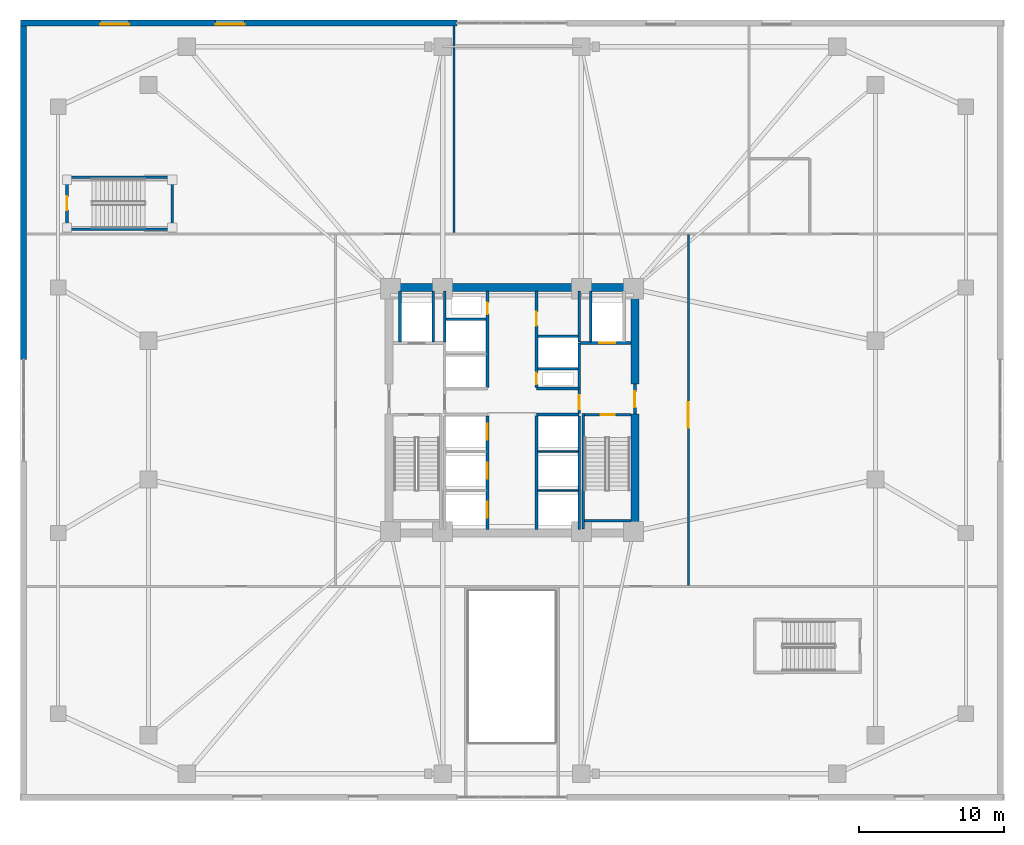
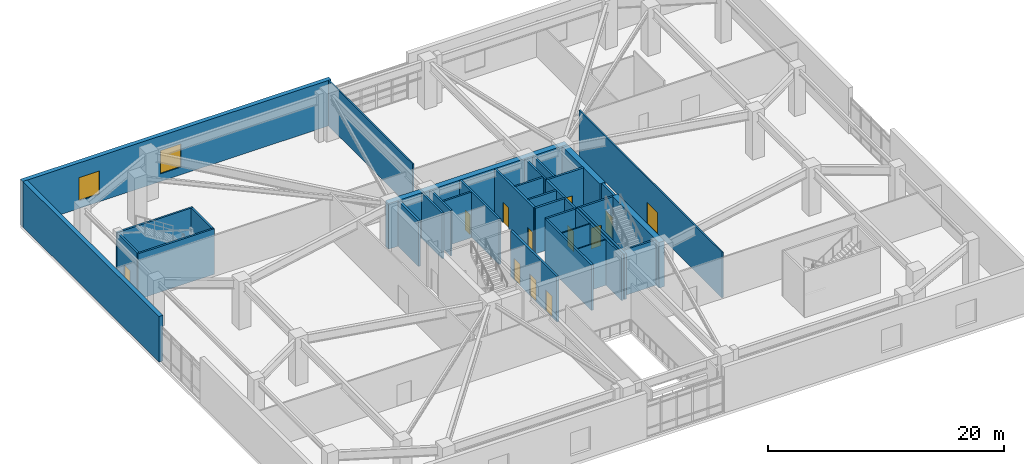
# One storey, part 12 of 20: 34 walls, 12 doors, 2 windows, 14 openings.
"""IFC4 building model written with IfcOpenShell, lengths in metres."""

from ifc_helpers import new_model, si_unit, direction, frame, frame_2d, origin, place, context, subcontext, project, spatial, rectangle, extrude, material, layer, layer_set, type_object, element, fill, save


model = new_model("IFC4")

# Units and contexts
model_context = context("Model", 3, precision=1e-05, world=origin(), true_north=direction((0.0, 1.0)))
body_context = subcontext(model_context, "Body", "Model", "MODEL_VIEW")
ifc_project = project(units=[si_unit("LENGTHUNIT", "METRE"), si_unit("AREAUNIT", "SQUARE_METRE"), si_unit("VOLUMEUNIT", "CUBIC_METRE"), si_unit("PLANEANGLEUNIT", "RADIAN"), si_unit("MASSUNIT", "GRAM", prefix="KILO")], contexts=[model_context])

# Site, building, storey
site_placement = place(None, origin())
site = spatial("IfcSite", under=ifc_project, at=site_placement, CompositionType="ELEMENT")
building_placement = place(site_placement, origin())
building = spatial("IfcBuilding", under=site, at=building_placement, Name="Cairnveth Concourse Tower", CompositionType="ELEMENT")
storey_placement = place(building_placement, frame((0.0, 0.0, 5.0)))
storey = spatial("IfcBuildingStorey", under=building, at=storey_placement, Name="L01", CompositionType="ELEMENT", Elevation=5.0)

# Walls
ifc_material_1 = material(Name="Concrete N80 (80 MPa)", Category="concrete")
ifc_layer_1 = layer(ifc_material_1, 0.550048828125)
ifc_layer_set_1 = layer_set([ifc_layer_1], Name="Concrete N80 (80 MPa)")
wall_type_1 = type_object("IfcWallType", Name="CORE SHEAR WALL 550", PredefinedType="SHEAR", material=ifc_layer_set_1)
wall_1_placement = place(storey_placement, frame((43.22509765625, 47.5, 0.0), z_axis=(0.0, 0.0, 1.0), x_axis=(1.0, 0.0, 0.0)))
element("IfcWall", 1, at=wall_1_placement, inside=storey, type_object=wall_type_1, Name="Core North Shear Wall L01", PredefinedType="SHEAR", context=body_context, shape_type="SweptSolid", body=[
    extrude(rectangle(XDim=17.5498046875, YDim=0.550048828125, at=frame_2d((8.77490234375, 0.0))), origin(), (0.0, 0.0, 1.0), 4.719970703125),
])
wall_2_placement = place(storey_placement, frame((60.5, 30.764892578125, 0.0), z_axis=(0.0, 0.0, 1.0), x_axis=(0.0, 1.0, 0.0)))
element("IfcWall", 2, at=wall_2_placement, inside=storey, type_object=wall_type_1, Name="Core East Shear Wall S L01", PredefinedType="SHEAR", context=body_context, shape_type="SweptSolid", body=[
    extrude(rectangle(XDim=7.985107421875, YDim=0.550048828125, at=frame_2d((3.99267578125, 0.0))), origin(), (0.0, 0.0, 1.0), 4.719970703125),
])
wall_3_placement = place(storey_placement, frame((60.5, 40.800048828125, 0.0), z_axis=(0.0, 0.0, 1.0), x_axis=(0.0, 1.0, 0.0)))
element("IfcWall", 3, at=wall_3_placement, inside=storey, type_object=wall_type_1, Name="Core East Shear Wall N L01", PredefinedType="SHEAR", context=body_context, shape_type="SweptSolid", body=[
    extrude(rectangle(XDim=6.43505859375, YDim=0.550048828125, at=frame_2d((3.217529296875, 0.0))), origin(), (0.0, 0.0, 1.0), 4.719970703125),
])
ifc_material_2 = material(Name="Concrete N50 (50 MPa)", Category="concrete")
ifc_layer_2 = layer(ifc_material_2, 0.179931640625)
ifc_layer_set_2 = layer_set([ifc_layer_2], Name="Concrete N50 (50 MPa)")
wall_type_2 = type_object("IfcWallType", Name="FIRE SHAFT WALL 180", PredefinedType="SOLIDWALL", material=ifc_layer_set_2)
wall_4_placement = place(storey_placement, frame((56.64990234375, 30.760009765625, 0.0), z_axis=(0.0, 0.0, 1.0), x_axis=(0.0, 1.0, 0.0)))
element("IfcWall", 4, at=wall_4_placement, inside=storey, type_object=wall_type_2, Name="Interior Wall IW-L01-028", PredefinedType="SOLIDWALL", context=body_context, shape_type="SweptSolid", body=[
    extrude(rectangle(XDim=7.85498046875, YDim=0.179931640625, at=frame_2d((3.927490234375, 0.0))), origin(), (0.0, 0.0, 1.0), 4.719970703125),
])
wall_5_placement = place(storey_placement, frame((47.35009765625, 43.735107421875, 0.0), z_axis=(0.0, 0.0, 1.0), x_axis=(0.0, 1.0, 0.0)))
element("IfcWall", 5, at=wall_5_placement, inside=storey, type_object=wall_type_2, Name="Interior Wall IW-L01-031", PredefinedType="SOLIDWALL", context=body_context, shape_type="SweptSolid", body=[
    extrude(rectangle(XDim=3.5048828125, YDim=0.179931640625, at=frame_2d((1.75244140625, 0.0))), origin(), (0.0, 0.0, 1.0), 4.719970703125),
])
wall_6_placement = place(storey_placement, frame((47.425048828125, 45.280029296875, 0.0), z_axis=(0.0, 0.0, 1.0), x_axis=(1.0, 0.0, 0.0)))
element("IfcWall", 6, at=wall_6_placement, inside=storey, type_object=wall_type_2, Name="Interior Wall IW-L01-033", PredefinedType="SOLIDWALL", context=body_context, shape_type="SweptSolid", body=[
    extrude(rectangle(XDim=2.7900390625, YDim=0.179931640625, at=frame_2d((1.39501953125, 0.0))), origin(), (0.0, 0.0, 1.0), 4.719970703125),
])
wall_7_placement = place(storey_placement, frame((56.64990234375, 43.735107421875, 0.0), z_axis=(0.0, 0.0, 1.0), x_axis=(0.0, 1.0, 0.0)))
element("IfcWall", 7, at=wall_7_placement, inside=storey, type_object=wall_type_2, Name="Interior Wall IW-L01-034", PredefinedType="SOLIDWALL", context=body_context, shape_type="SweptSolid", body=[
    extrude(rectangle(XDim=3.5048828125, YDim=0.179931640625, at=frame_2d((1.75244140625, 0.0))), origin(), (0.0, 0.0, 1.0), 4.719970703125),
])
wall_8_placement = place(storey_placement, frame((53.784912109375, 41.8798828125, 0.0), z_axis=(0.0, 0.0, 1.0), x_axis=(1.0, 0.0, 0.0)))
element("IfcWall", 8, at=wall_8_placement, inside=storey, type_object=wall_type_2, Name="Interior Wall IW-L01-035", PredefinedType="SOLIDWALL", context=body_context, shape_type="SweptSolid", body=[
    extrude(rectangle(XDim=2.780029296875, YDim=0.179931640625, at=frame_2d((1.39013671875, 0.0))), origin(), (0.0, 0.0, 1.0), 4.719970703125),
])
wall_9_placement = place(storey_placement, frame((53.784912109375, 44.1201171875, 0.0), z_axis=(0.0, 0.0, 1.0), x_axis=(1.0, 0.0, 0.0)))
element("IfcWall", 9, at=wall_9_placement, inside=storey, type_object=wall_type_2, Name="Interior Wall IW-L01-036", PredefinedType="SOLIDWALL", context=body_context, shape_type="SweptSolid", body=[
    extrude(rectangle(XDim=2.7900390625, YDim=0.179931640625, at=frame_2d((1.39501953125, 0.0))), origin(), (0.0, 0.0, 1.0), 4.719970703125),
])

# Wall, opening, door
wall_10_placement = place(storey_placement, frame((57.0048828125, 38.68994140625, 0.0), z_axis=(0.0, 0.0, 1.0), x_axis=(1.0, 0.0, 0.0)))
wall_10 = element("IfcWall", 10, at=wall_10_placement, inside=storey, type_object=wall_type_2, Name="Stair ST-2 Shaft Wall NEAR L01", PredefinedType="SOLIDWALL", context=body_context, shape_type="SweptSolid", body=[
    extrude(rectangle(XDim=3.230224609375, YDim=0.179931640625, at=frame_2d((1.615234375, 0.0))), origin(), (0.0, 0.0, 1.0), 4.719970703125),
])
opening_1_placement = place(wall_10_placement, frame((1.139892578125, 0.0, 0.0)))
opening_1 = element("IfcOpeningElement", 11, at=opening_1_placement, cuts=wall_10, Name="Opening ID12", PredefinedType="OPENING", context=body_context, shape_type="SweptSolid", body=[
    extrude(rectangle(XDim=0.949951171875, YDim=2.14990234375, at=frame_2d((0.47509765625, 1.074951171875))), frame((0.0, 0.099853515625, 0.0), z_axis=(0.0, -1.0, 0.0), x_axis=(1.0, 0.0, 0.0)), (0.0, 0.0, 1.0), 0.199951171875),
])
ifc_material_3 = material(Name="Steel Grade 350", Category="steel")
door_type_1 = type_object("IfcDoorType", Name="FIRE STAIR DOOR 950X2150", OperationType="NOTDEFINED", PredefinedType="DOOR", material=ifc_material_3)
door_1_placement = place(opening_1_placement, origin())
door_1 = element("IfcDoor", 12, at=door_1_placement, inside=storey, type_object=door_type_1, Name="Stair ST-2 Fire Door L01", OperationType="SINGLE_SWING_RIGHT", OverallHeight=2.14990234375, OverallWidth=0.949951171875, PredefinedType="DOOR", context=body_context, shape_type="SweptSolid", body=[
    extrude(rectangle(XDim=0.949951171875, YDim=2.14990234375, at=frame_2d((0.47509765625, 1.074951171875))), frame((0.0, 0.02490234375, 0.0), z_axis=(0.0, -1.0, 0.0), x_axis=(1.0, 0.0, 0.0)), (0.0, 0.0, 1.0), 0.050048828125),
])
fill(opening_1, door_1)

# Walls
wall_11_placement = place(storey_placement, frame((57.0048828125, 31.360107421875, 0.0), z_axis=(0.0, 0.0, 1.0), x_axis=(1.0, 0.0, 0.0)))
element("IfcWall", 13, at=wall_11_placement, inside=storey, type_object=wall_type_2, Name="Stair ST-2 Shaft Wall FAR L01", PredefinedType="SOLIDWALL", context=body_context, shape_type="SweptSolid", body=[
    extrude(rectangle(XDim=3.230224609375, YDim=0.179931640625, at=frame_2d((1.615234375, 0.0))), origin(), (0.0, 0.0, 1.0), 4.719970703125),
])
wall_12_placement = place(storey_placement, frame((56.929931640625, 38.780029296875, 0.0), z_axis=(0.0, 0.0, 1.0), x_axis=(0.0, -1.0, 0.0)))
element("IfcWall", 14, at=wall_12_placement, inside=storey, type_object=wall_type_2, Name="Stair ST-2 Shaft Wall LEFT L01", PredefinedType="SOLIDWALL", context=body_context, shape_type="SweptSolid", body=[
    extrude(rectangle(XDim=8.01708984375, YDim=0.179931640625, at=frame_2d((4.008544921875, 0.0))), origin(), (0.0, 0.0, 1.0), 4.719970703125),
])

# Wall, opening, door
wall_13_placement = place(storey_placement, frame((21.2099609375, 51.5849609375, 0.0), z_axis=(0.0, 0.0, 1.0), x_axis=(0.0, 1.0, 0.0)))
wall_13 = element("IfcWall", 15, at=wall_13_placement, inside=storey, type_object=wall_type_2, Name="Stair ST-P1 Shaft Wall NEAR L01", PredefinedType="SOLIDWALL", context=body_context, shape_type="SweptSolid", body=[
    extrude(rectangle(XDim=3.469970703125, YDim=0.179931640625, at=frame_2d((1.73486328125, 0.0))), origin(), (0.0, 0.0, 1.0), 4.719970703125),
])
opening_2_placement = place(wall_13_placement, frame((1.260009765625, 0.0, 0.0)))
opening_2 = element("IfcOpeningElement", 16, at=opening_2_placement, cuts=wall_13, Name="Opening ID12", PredefinedType="OPENING", context=body_context, shape_type="SweptSolid", body=[
    extrude(rectangle(XDim=0.949951171875, YDim=2.14990234375, at=frame_2d((0.47509765625, 1.074951171875))), frame((0.0, 0.099853515625, 0.0), z_axis=(0.0, -1.0, 0.0), x_axis=(1.0, 0.0, 0.0)), (0.0, 0.0, 1.0), 0.199951171875),
])
door_2_placement = place(opening_2_placement, origin())
door_2 = element("IfcDoor", 17, at=door_2_placement, inside=storey, type_object=door_type_1, Name="Stair ST-P1 Fire Door L01", OperationType="SINGLE_SWING_LEFT", OverallHeight=2.14990234375, OverallWidth=0.949951171875, PredefinedType="DOOR", context=body_context, shape_type="SweptSolid", body=[
    extrude(rectangle(XDim=0.949951171875, YDim=2.14990234375, at=frame_2d((0.47509765625, 1.074951171875))), frame((0.0, 0.02490234375, 0.0), z_axis=(0.0, -1.0, 0.0), x_axis=(1.0, 0.0, 0.0)), (0.0, 0.0, 1.0), 0.050048828125),
])
fill(opening_2, door_2)

# Walls
wall_14_placement = place(storey_placement, frame((28.489990234375, 51.5849609375, 0.0), z_axis=(0.0, 0.0, 1.0), x_axis=(0.0, 1.0, 0.0)))
element("IfcWall", 18, at=wall_14_placement, inside=storey, type_object=wall_type_2, Name="Stair ST-P1 Shaft Wall FAR L01", PredefinedType="SOLIDWALL", context=body_context, shape_type="SweptSolid", body=[
    extrude(rectangle(XDim=3.469970703125, YDim=0.179931640625, at=frame_2d((1.73486328125, 0.0))), origin(), (0.0, 0.0, 1.0), 4.719970703125),
])
for number, where, z_axis, x_axis, name in (
    (19, (21.1201171875, 51.510009765625, 0.0), (0.0, 0.0, 1.0), (1.0, 0.0, 0.0), "Stair ST-P1 Shaft Wall LEFT L01"),
    (20, (21.1201171875, 55.1298828125, 0.0), (0.0, 0.0, 1.0), (1.0, 0.0, 0.0), "Stair ST-P1 Shaft Wall RGHT L01"),
):
    element("IfcWall", number, at=place(storey_placement, frame(where, z_axis=z_axis, x_axis=x_axis)), inside=storey, type_object=wall_type_2, Name=name, PredefinedType="SOLIDWALL", context=body_context, shape_type="SweptSolid", body=[
        extrude(rectangle(XDim=7.4599609375, YDim=0.179931640625, at=frame_2d((3.72998046875, 0.0))), origin(), (0.0, 0.0, 1.0), 4.719970703125),
    ])
ifc_layer_3 = layer(ifc_material_2, 0.199951171875)
ifc_layer_set_3 = layer_set([ifc_layer_3], Name="Concrete N50 (50 MPa)")
wall_type_3 = type_object("IfcWallType", Name="FIRE SHAFT WALL 200", PredefinedType="SOLIDWALL", material=ifc_layer_set_3)
for number, where, z_axis, x_axis, name in (
    (21, (53.699951171875, 38.699951171875, 0.0), (0.0, 0.0, 1.0), (1.0, 0.0, 0.0), "Interior Wall IW-L01-009"),
    (22, (53.699951171875, 40.5, 0.0), (0.0, 0.0, 1.0), (1.0, 0.0, 0.0), "Interior Wall IW-L01-010"),
):
    element("IfcWall", number, at=place(storey_placement, frame(where, z_axis=z_axis, x_axis=x_axis)), inside=storey, type_object=wall_type_3, Name=name, PredefinedType="SOLIDWALL", context=body_context, shape_type="SweptSolid", body=[
        extrude(rectangle(XDim=2.949951171875, YDim=0.199951171875, at=frame_2d((1.47509765625, 0.0))), origin(), (0.0, 0.0, 1.0), 4.719970703125),
    ])

# Wall, openings, doors
wall_15_placement = place(storey_placement, frame((50.300048828125, 30.760009765625, 0.0), z_axis=(0.0, 0.0, 1.0), x_axis=(0.0, 1.0, 0.0)))
wall_15 = element("IfcWall", 23, at=wall_15_placement, inside=storey, type_object=wall_type_3, Name="Interior Wall IW-L01-011", PredefinedType="SOLIDWALL", context=body_context, shape_type="SweptSolid", body=[
    extrude(rectangle(XDim=7.85498046875, YDim=0.199951171875, at=frame_2d((3.927490234375, 0.0))), origin(), (0.0, 0.0, 1.0), 4.719970703125),
])
opening_3_placement = place(wall_15_placement, frame((0.7900390625, 0.0, 0.0)))
opening_3 = element("IfcOpeningElement", 24, at=opening_3_placement, cuts=wall_15, Name="Opening LD-1", PredefinedType="OPENING", context=body_context, shape_type="SweptSolid", body=[
    extrude(rectangle(XDim=1.10009765625, YDim=2.199951171875, at=frame_2d((0.550048828125, 1.10009765625))), frame((0.0, 0.10986328125, 0.0), z_axis=(0.0, -1.0, 0.0), x_axis=(1.0, 0.0, 0.0)), (0.0, 0.0, 1.0), 0.219970703125),
])
opening_4_placement = place(wall_15_placement, frame((3.489990234375, 0.0, 0.0)))
opening_4 = element("IfcOpeningElement", 25, at=opening_4_placement, cuts=wall_15, Name="Opening LD-1", PredefinedType="OPENING", context=body_context, shape_type="SweptSolid", body=[
    extrude(rectangle(XDim=1.10009765625, YDim=2.199951171875, at=frame_2d((0.550048828125, 1.10009765625))), frame((0.0, 0.10986328125, 0.0), z_axis=(0.0, -1.0, 0.0), x_axis=(1.0, 0.0, 0.0)), (0.0, 0.0, 1.0), 0.219970703125),
])
opening_5_placement = place(wall_15_placement, frame((6.18994140625, 0.0, 0.0)))
opening_5 = element("IfcOpeningElement", 26, at=opening_5_placement, cuts=wall_15, Name="Opening LD-1", PredefinedType="OPENING", context=body_context, shape_type="SweptSolid", body=[
    extrude(rectangle(XDim=1.10009765625, YDim=2.199951171875, at=frame_2d((0.550048828125, 1.10009765625))), frame((0.0, 0.10986328125, 0.0), z_axis=(0.0, -1.0, 0.0), x_axis=(1.0, 0.0, 0.0)), (0.0, 0.0, 1.0), 0.219970703125),
])
ifc_material_4 = material(Name="Architectural Bronze Anodised Aluminium 6063-T6", Category="aluminium")
door_type_2 = type_object("IfcDoorType", Name="LIFT LANDING DOOR 1100X2200", OperationType="SLIDING_TO_LEFT", PredefinedType="DOOR", material=ifc_material_4)
door_3_placement = place(opening_3_placement, origin())
door_3 = element("IfcDoor", 27, at=door_3_placement, inside=storey, type_object=door_type_2, Name="Lift PL1 Landing Door L01", OperationType="SLIDING_TO_LEFT", OverallHeight=2.199951171875, OverallWidth=1.10009765625, PredefinedType="DOOR", context=body_context, shape_type="SweptSolid", body=[
    extrude(rectangle(XDim=1.10009765625, YDim=2.199951171875, at=frame_2d((0.550048828125, 1.10009765625))), frame((0.0, 0.02490234375, 0.0), z_axis=(0.0, -1.0, 0.0), x_axis=(1.0, 0.0, 0.0)), (0.0, 0.0, 1.0), 0.050048828125),
])
fill(opening_3, door_3)
door_4_placement = place(opening_4_placement, origin())
door_4 = element("IfcDoor", 28, at=door_4_placement, inside=storey, type_object=door_type_2, Name="Lift PL2 Landing Door L01", OperationType="SLIDING_TO_LEFT", OverallHeight=2.199951171875, OverallWidth=1.10009765625, PredefinedType="DOOR", context=body_context, shape_type="SweptSolid", body=[
    extrude(rectangle(XDim=1.10009765625, YDim=2.199951171875, at=frame_2d((0.550048828125, 1.10009765625))), frame((0.0, 0.02490234375, 0.0), z_axis=(0.0, -1.0, 0.0), x_axis=(1.0, 0.0, 0.0)), (0.0, 0.0, 1.0), 0.050048828125),
])
fill(opening_4, door_4)
door_5_placement = place(opening_5_placement, origin())
door_5 = element("IfcDoor", 29, at=door_5_placement, inside=storey, type_object=door_type_2, Name="Lift PL3 Landing Door L01", OperationType="SLIDING_TO_LEFT", OverallHeight=2.199951171875, OverallWidth=1.10009765625, PredefinedType="DOOR", context=body_context, shape_type="SweptSolid", body=[
    extrude(rectangle(XDim=1.10009765625, YDim=2.199951171875, at=frame_2d((0.550048828125, 1.10009765625))), frame((0.0, 0.02490234375, 0.0), z_axis=(0.0, -1.0, 0.0), x_axis=(1.0, 0.0, 0.0)), (0.0, 0.0, 1.0), 0.050048828125),
])
fill(opening_5, door_5)

# Wall
wall_16_placement = place(storey_placement, frame((53.699951171875, 30.760009765625, 0.0), z_axis=(0.0, 0.0, 1.0), x_axis=(0.0, 1.0, 0.0)))
element("IfcWall", 30, at=wall_16_placement, inside=storey, type_object=wall_type_3, Name="Interior Wall IW-L01-012", PredefinedType="SOLIDWALL", context=body_context, shape_type="SweptSolid", body=[
    extrude(rectangle(XDim=7.85498046875, YDim=0.199951171875, at=frame_2d((3.927490234375, 0.0))), origin(), (0.0, 0.0, 1.0), 4.719970703125),
])

# Wall, opening, door
wall_17_placement = place(storey_placement, frame((50.300048828125, 40.5849609375, 0.0), z_axis=(0.0, 0.0, 1.0), x_axis=(0.0, 1.0, 0.0)))
wall_17 = element("IfcWall", 31, at=wall_17_placement, inside=storey, type_object=wall_type_3, Name="Interior Wall IW-L01-013", PredefinedType="SOLIDWALL", context=body_context, shape_type="SweptSolid", body=[
    extrude(rectangle(XDim=6.655029296875, YDim=0.199951171875, at=frame_2d((3.32763671875, 0.0))), origin(), (0.0, 0.0, 1.0), 4.719970703125),
])
opening_6_placement = place(wall_17_placement, frame((5.06494140625, 0.0, 0.0)))
opening_6 = element("IfcOpeningElement", 32, at=opening_6_placement, cuts=wall_17, Name="Opening ID24", PredefinedType="OPENING", context=body_context, shape_type="SweptSolid", body=[
    extrude(rectangle(XDim=0.800048828125, YDim=2.080078125, at=frame_2d((0.39990234375, 1.0400390625))), frame((0.0, 0.10986328125, 0.0), z_axis=(0.0, -1.0, 0.0), x_axis=(1.0, 0.0, 0.0)), (0.0, 0.0, 1.0), 0.219970703125),
])
door_type_3 = type_object("IfcDoorType", Name="RISER ACCESS DOOR 800X2100", OperationType="NOTDEFINED", PredefinedType="DOOR", material=ifc_material_3)
door_6_placement = place(opening_6_placement, origin())
door_6 = element("IfcDoor", 33, at=door_6_placement, inside=storey, type_object=door_type_3, Name="NW Electrical Riser Access Door L01", OperationType="SINGLE_SWING_RIGHT", OverallHeight=2.080078125, OverallWidth=0.800048828125, PredefinedType="DOOR", context=body_context, shape_type="SweptSolid", body=[
    extrude(rectangle(XDim=0.800048828125, YDim=2.080078125, at=frame_2d((0.39990234375, 1.0400390625))), frame((0.0, 0.02490234375, 0.0), z_axis=(0.0, -1.0, 0.0), x_axis=(1.0, 0.0, 0.0)), (0.0, 0.0, 1.0), 0.050048828125),
])
fill(opening_6, door_6)

# Wall, openings, doors
wall_18_placement = place(storey_placement, frame((53.699951171875, 40.5849609375, 0.0), z_axis=(0.0, 0.0, 1.0), x_axis=(0.0, 1.0, 0.0)))
wall_18 = element("IfcWall", 34, at=wall_18_placement, inside=storey, type_object=wall_type_3, Name="Interior Wall IW-L01-014", PredefinedType="SOLIDWALL", context=body_context, shape_type="SweptSolid", body=[
    extrude(rectangle(XDim=6.655029296875, YDim=0.199951171875, at=frame_2d((3.32763671875, 0.0))), origin(), (0.0, 0.0, 1.0), 4.719970703125),
])
opening_7_placement = place(wall_18_placement, frame((0.195068359375, 0.0, 0.0)))
opening_7 = element("IfcOpeningElement", 35, at=opening_7_placement, cuts=wall_18, Name="Opening ID24", PredefinedType="OPENING", context=body_context, shape_type="SweptSolid", body=[
    extrude(rectangle(XDim=0.800048828125, YDim=2.080078125, at=frame_2d((0.39990234375, 1.0400390625))), frame((0.0, 0.10986328125, 0.0), z_axis=(0.0, -1.0, 0.0), x_axis=(1.0, 0.0, 0.0)), (0.0, 0.0, 1.0), 0.219970703125),
])
opening_8_placement = place(wall_18_placement, frame((4.264892578125, 0.0, 0.0)))
opening_8 = element("IfcOpeningElement", 36, at=opening_8_placement, cuts=wall_18, Name="Opening ID25", PredefinedType="OPENING", context=body_context, shape_type="SweptSolid", body=[
    extrude(rectangle(XDim=0.949951171875, YDim=2.1201171875, at=frame_2d((0.47509765625, 1.06005859375))), frame((0.0, 0.10986328125, 0.0), z_axis=(0.0, -1.0, 0.0), x_axis=(1.0, 0.0, 0.0)), (0.0, 0.0, 1.0), 0.219970703125),
])
door_type_4 = type_object("IfcDoorType", Name="CORE ACCESSIBLE FIRE DOOR 950X2120", OperationType="NOTDEFINED", PredefinedType="DOOR", material=ifc_material_3)
door_7_placement = place(opening_8_placement, origin())
door_7 = element("IfcDoor", 37, at=door_7_placement, inside=storey, type_object=door_type_4, Name="Core NE Accessible WC Door L01", OperationType="SINGLE_SWING_RIGHT", OverallHeight=2.1201171875, OverallWidth=0.949951171875, PredefinedType="DOOR", context=body_context, shape_type="SweptSolid", body=[
    extrude(rectangle(XDim=0.949951171875, YDim=2.1201171875, at=frame_2d((0.47509765625, 1.06005859375))), frame((0.0, 0.02490234375, 0.0), z_axis=(0.0, -1.0, 0.0), x_axis=(1.0, 0.0, 0.0)), (0.0, 0.0, 1.0), 0.050048828125),
])
fill(opening_8, door_7)
door_8_placement = place(opening_7_placement, origin())
door_8 = element("IfcDoor", 38, at=door_8_placement, inside=storey, type_object=door_type_3, Name="Hydraulic Riser Door L01", OperationType="SINGLE_SWING_LEFT", OverallHeight=2.080078125, OverallWidth=0.800048828125, PredefinedType="DOOR", context=body_context, shape_type="SweptSolid", body=[
    extrude(rectangle(XDim=0.800048828125, YDim=2.080078125, at=frame_2d((0.39990234375, 1.0400390625))), frame((0.0, 0.02490234375, 0.0), z_axis=(0.0, -1.0, 0.0), x_axis=(1.0, 0.0, 0.0)), (0.0, 0.0, 1.0), 0.050048828125),
])
fill(opening_7, door_8)

# Walls
for number, where, z_axis, x_axis, name in (
    (39, (46.550048828125, 43.735107421875, 0.0), (0.0, 0.0, 1.0), (0.0, 1.0, 0.0), "Interior Wall IW-L01-018"),
    (40, (44.25, 43.735107421875, 0.0), (0.0, 0.0, 1.0), (0.0, 1.0, 0.0), "Interior Wall IW-L01-019"),
):
    element("IfcWall", number, at=place(storey_placement, frame(where, z_axis=z_axis, x_axis=x_axis)), inside=storey, type_object=wall_type_3, Name=name, PredefinedType="SOLIDWALL", context=body_context, shape_type="SweptSolid", body=[
        extrude(rectangle(XDim=3.5048828125, YDim=0.199951171875, at=frame_2d((1.75244140625, 0.0))), origin(), (0.0, 0.0, 1.0), 4.719970703125),
    ])

# Wall, opening, door
wall_19_placement = place(storey_placement, frame((60.5, 38.75, 0.0), z_axis=(0.0, 0.0, 1.0), x_axis=(0.0, 1.0, 0.0)))
wall_19 = element("IfcWall", 41, at=wall_19_placement, inside=storey, type_object=wall_type_3, Name="Interior Wall IW-L01-020", PredefinedType="SOLIDWALL", context=body_context, shape_type="SweptSolid", body=[
    extrude(rectangle(XDim=2.050048828125, YDim=0.199951171875, at=frame_2d((1.02490234375, 0.0))), origin(), (0.0, 0.0, 1.0), 4.719970703125),
])
opening_9_placement = place(wall_19_placement, frame((0.449951171875, 0.0, 0.0)))
opening_9 = element("IfcOpeningElement", 42, at=opening_9_placement, cuts=wall_19, Name="Opening ID06", PredefinedType="OPENING", context=body_context, shape_type="SweptSolid", body=[
    extrude(rectangle(XDim=1.10009765625, YDim=2.14990234375, at=frame_2d((0.550048828125, 1.074951171875))), frame((0.0, 0.10986328125, 0.0), z_axis=(0.0, -1.0, 0.0), x_axis=(1.0, 0.0, 0.0)), (0.0, 0.0, 1.0), 0.219970703125),
])
door_type_5 = type_object("IfcDoorType", Name="FIRE CORRIDOR DOOR 1100X2150", OperationType="NOTDEFINED", PredefinedType="DOOR", material=ifc_material_3)
door_9_placement = place(opening_9_placement, origin())
door_9 = element("IfcDoor", 43, at=door_9_placement, inside=storey, type_object=door_type_5, Name="East Wing to FF Lobby Door L01", OperationType="SINGLE_SWING_RIGHT", OverallHeight=2.14990234375, OverallWidth=1.10009765625, PredefinedType="DOOR", context=body_context, shape_type="SweptSolid", body=[
    extrude(rectangle(XDim=1.10009765625, YDim=2.14990234375, at=frame_2d((0.550048828125, 1.074951171875))), frame((0.0, 0.02490234375, 0.0), z_axis=(0.0, -1.0, 0.0), x_axis=(1.0, 0.0, 0.0)), (0.0, 0.0, 1.0), 0.050048828125),
])
fill(opening_9, door_9)

wall_20_placement = place(storey_placement, frame((56.64990234375, 38.784912109375, 0.0), z_axis=(0.0, 0.0, 1.0), x_axis=(0.0, 1.0, 0.0)))
wall_20 = element("IfcWall", 44, at=wall_20_placement, inside=storey, type_object=wall_type_3, Name="Interior Wall IW-L01-021", PredefinedType="SOLIDWALL", context=body_context, shape_type="SweptSolid", body=[
    extrude(rectangle(XDim=4.864990234375, YDim=0.199951171875, at=frame_2d((2.4326171875, 0.0))), origin(), (0.0, 0.0, 1.0), 4.719970703125),
])
opening_10_placement = place(wall_20_placement, frame((0.264892578125, 0.0, 0.0)))
opening_10 = element("IfcOpeningElement", 45, at=opening_10_placement, cuts=wall_20, Name="Opening ID07", PredefinedType="OPENING", context=body_context, shape_type="SweptSolid", body=[
    extrude(rectangle(XDim=1.0, YDim=2.14990234375, at=frame_2d((0.5, 1.074951171875))), frame((0.0, 0.10986328125, 0.0), z_axis=(0.0, -1.0, 0.0), x_axis=(1.0, 0.0, 0.0)), (0.0, 0.0, 1.0), 0.219970703125),
])
door_type_6 = type_object("IfcDoorType", Name="FIRE CORRIDOR DOOR 1000X2150", OperationType="NOTDEFINED", PredefinedType="DOOR", material=ifc_material_3)
door_10_placement = place(opening_10_placement, origin())
door_10 = element("IfcDoor", 46, at=door_10_placement, inside=storey, type_object=door_type_6, Name="FF Lobby East to Lift Lobby Door L01", OperationType="SINGLE_SWING_LEFT", OverallHeight=2.14990234375, OverallWidth=1.0, PredefinedType="DOOR", context=body_context, shape_type="SweptSolid", body=[
    extrude(rectangle(XDim=1.0, YDim=2.14990234375, at=frame_2d((0.5, 1.074951171875))), frame((0.0, 0.02490234375, 0.0), z_axis=(0.0, -1.0, 0.0), x_axis=(1.0, 0.0, 0.0)), (0.0, 0.0, 1.0), 0.050048828125),
])
fill(opening_10, door_10)

wall_21_placement = place(storey_placement, frame((56.735107421875, 43.64990234375, 0.0), z_axis=(0.0, 0.0, 1.0), x_axis=(1.0, 0.0, 0.0)))
wall_21 = element("IfcWall", 47, at=wall_21_placement, inside=storey, type_object=wall_type_3, Name="Interior Wall IW-L01-022", PredefinedType="SOLIDWALL", context=body_context, shape_type="SweptSolid", body=[
    extrude(rectangle(XDim=3.5048828125, YDim=0.199951171875, at=frame_2d((1.75244140625, 0.0))), origin(), (0.0, 0.0, 1.0), 4.719970703125),
])
opening_11_placement = place(wall_21_placement, frame((1.294921875, 0.0, 0.0)))
opening_11 = element("IfcOpeningElement", 48, at=opening_11_placement, cuts=wall_21, Name="Opening LD-1", PredefinedType="OPENING", context=body_context, shape_type="SweptSolid", body=[
    extrude(rectangle(XDim=1.10009765625, YDim=2.199951171875, at=frame_2d((0.550048828125, 1.10009765625))), frame((0.0, 0.10986328125, 0.0), z_axis=(0.0, -1.0, 0.0), x_axis=(1.0, 0.0, 0.0)), (0.0, 0.0, 1.0), 0.219970703125),
])
door_11_placement = place(opening_11_placement, origin())
door_11 = element("IfcDoor", 49, at=door_11_placement, inside=storey, type_object=door_type_2, Name="Lift FFL2 Landing Door L01", OperationType="SLIDING_TO_LEFT", OverallHeight=2.199951171875, OverallWidth=1.10009765625, PredefinedType="DOOR", context=body_context, shape_type="SweptSolid", body=[
    extrude(rectangle(XDim=1.10009765625, YDim=2.199951171875, at=frame_2d((0.550048828125, 1.10009765625))), frame((0.0, 0.02490234375, 0.0), z_axis=(0.0, -1.0, 0.0), x_axis=(1.0, 0.0, 0.0)), (0.0, 0.0, 1.0), 0.050048828125),
])
fill(opening_11, door_11)

# Wall
wall_22_placement = place(storey_placement, frame((57.449951171875, 43.735107421875, 0.0), z_axis=(0.0, 0.0, 1.0), x_axis=(0.0, 1.0, 0.0)))
element("IfcWall", 50, at=wall_22_placement, inside=storey, type_object=wall_type_3, Name="Interior Wall IW-L01-023", PredefinedType="SOLIDWALL", context=body_context, shape_type="SweptSolid", body=[
    extrude(rectangle(XDim=3.5048828125, YDim=0.199951171875, at=frame_2d((1.75244140625, 0.0))), origin(), (0.0, 0.0, 1.0), 4.719970703125),
])

# Wall, opening, door
ifc_material_5 = material(Name="Gypsum Plasterboard Partition", Category="gypsum")
ifc_layer_4 = layer(ifc_material_5, 0.139892578125)
ifc_layer_set_4 = layer_set([ifc_layer_4], Name="Gypsum Plasterboard Partition")
wall_type_4 = type_object("IfcWallType", Name="GYPSUM STUD PARTITION 140", PredefinedType="PARTITIONING", material=ifc_layer_set_4)
wall_23_placement = place(storey_placement, frame((64.199951171875, 26.85498046875, 0.0), z_axis=(0.0, 0.0, 1.0), x_axis=(0.0, 1.0, 0.0)))
wall_23 = element("IfcWall", 51, at=wall_23_placement, inside=storey, type_object=wall_type_4, Name="Interior Wall IW-L01-040", PredefinedType="PARTITIONING", context=body_context, shape_type="SweptSolid", body=[
    extrude(rectangle(XDim=24.2900390625, YDim=0.139892578125, at=frame_2d((12.14501953125, 0.0))), origin(), (0.0, 0.0, 1.0), 4.719970703125),
])
opening_12_placement = place(wall_23_placement, frame((10.945068359375, 0.0, 0.0)))
opening_12 = element("IfcOpeningElement", 52, at=opening_12_placement, cuts=wall_23, Name="Opening ID27", PredefinedType="OPENING", context=body_context, shape_type="SweptSolid", body=[
    extrude(rectangle(XDim=1.760009765625, YDim=2.199951171875, at=frame_2d((0.8798828125, 1.10009765625))), frame((0.0, 0.079833984375, 0.0), z_axis=(0.0, -1.0, 0.0), x_axis=(1.0, 0.0, 0.0)), (0.0, 0.0, 1.0), 0.159912109375),
])
ifc_material_6 = material(Name="Solid Core Hardwood Timber Leaf", Category="wood")
door_type_7 = type_object("IfcDoorType", Name="CONCOURSE DOUBLE DOOR 1760X2200", OperationType="DOUBLE_DOOR_SINGLE_SWING", PredefinedType="DOOR", material=ifc_material_6)
door_12_placement = place(opening_12_placement, origin())
door_12 = element("IfcDoor", 53, at=door_12_placement, inside=storey, type_object=door_type_7, Name="Interior Door DR-L01-020", OperationType="DOUBLE_DOOR_SINGLE_SWING", OverallHeight=2.199951171875, OverallWidth=1.760009765625, PredefinedType="DOOR", context=body_context, shape_type="SweptSolid", body=[
    extrude(rectangle(XDim=1.760009765625, YDim=2.199951171875, at=frame_2d((0.8798828125, 1.10009765625))), frame((0.0, 0.02490234375, 0.0), z_axis=(0.0, -1.0, 0.0), x_axis=(1.0, 0.0, 0.0)), (0.0, 0.0, 1.0), 0.050048828125),
])
fill(opening_12, door_12)

# Wall
wall_24_placement = place(storey_placement, frame((48.0, 51.300048828125, 0.0), z_axis=(0.0, 0.0, 1.0), x_axis=(0.0, 1.0, 0.0)))
element("IfcWall", 54, at=wall_24_placement, inside=storey, type_object=wall_type_4, Name="Interior Wall IW-L01-043", PredefinedType="PARTITIONING", context=body_context, shape_type="SweptSolid", body=[
    extrude(rectangle(XDim=14.294921875, YDim=0.139892578125, at=frame_2d((7.1474609375, 0.0))), origin(), (0.0, 0.0, 1.0), 4.719970703125),
])

# Wall, openings, windows
ifc_material_7 = material(Name="Hawthorn Red-Ochre Fired Clay Brick Masonry", Category="masonry")
ifc_layer_5 = layer(ifc_material_7, 0.419921875)
ifc_layer_set_5 = layer_set([ifc_layer_5], Name="Hawthorn Red-Ochre Fired Clay Brick Masonry")
wall_type_5 = type_object("IfcWallType", Name="PODIUM HAWTHORN BRICK WALL 420", PredefinedType="SOLIDWALL", material=ifc_layer_set_5)
wall_25_placement = place(storey_placement, frame((18.0, 65.7900390625, 0.0), z_axis=(0.0, 0.0, 1.0), x_axis=(1.0, 0.0, 0.0)))
wall_25 = element("IfcWall", 55, at=wall_25_placement, inside=storey, type_object=wall_type_5, Name="Exterior Wall EW-L01-NW", PredefinedType="SOLIDWALL", context=body_context, shape_type="SweptSolid", body=[
    extrude(rectangle(XDim=30.199951171875, YDim=0.419921875, at=frame_2d((15.10009765625, 0.0))), origin(), (0.0, 0.0, 1.0), 4.719970703125),
])
opening_13_placement = place(wall_25_placement, frame((5.5, 0.0, 0.800048828125)))
opening_13 = element("IfcOpeningElement", 56, at=opening_13_placement, cuts=wall_25, Name="Opening W10", PredefinedType="OPENING", context=body_context, shape_type="SweptSolid", body=[
    extrude(rectangle(XDim=2.0, YDim=2.39990234375, at=frame_2d((1.0, 1.199951171875))), frame((0.0, 0.219970703125, 0.0), z_axis=(0.0, -1.0, 0.0), x_axis=(1.0, 0.0, 0.0)), (0.0, 0.0, 1.0), 0.43994140625),
])
opening_14_placement = place(wall_25_placement, frame((13.5, 0.0, 0.800048828125)))
opening_14 = element("IfcOpeningElement", 57, at=opening_14_placement, cuts=wall_25, Name="Opening W10", PredefinedType="OPENING", context=body_context, shape_type="SweptSolid", body=[
    extrude(rectangle(XDim=2.0, YDim=2.39990234375, at=frame_2d((1.0, 1.199951171875))), frame((0.0, 0.219970703125, 0.0), z_axis=(0.0, -1.0, 0.0), x_axis=(1.0, 0.0, 0.0)), (0.0, 0.0, 1.0), 0.43994140625),
])
ifc_material_8 = material(Name="Double Glazed Low-E Clear Glass", Category="glass")
window_type = type_object("IfcWindowType", Name="DEEP-SET PODIUM ARCHED WINDOW 2000X2400", PartitioningType="DOUBLE_PANEL_VERTICAL", PredefinedType="WINDOW", material=ifc_material_8)
window_1_placement = place(opening_13_placement, origin())
window_1 = element("IfcWindow", 58, at=window_1_placement, inside=storey, type_object=window_type, Name="WIN-L01-NW-1", OverallHeight=2.39990234375, OverallWidth=2.0, PartitioningType="SINGLE_PANEL", PredefinedType="WINDOW", context=body_context, shape_type="SweptSolid", body=[
    extrude(rectangle(XDim=2.0, YDim=2.39990234375, at=frame_2d((1.0, 1.199951171875))), frame((0.0, -0.050048828125, 0.0), z_axis=(0.0, -1.0, 0.0), x_axis=(1.0, 0.0, 0.0)), (0.0, 0.0, 1.0), 0.06005859375),
])
fill(opening_13, window_1)
window_2_placement = place(opening_14_placement, origin())
window_2 = element("IfcWindow", 59, at=window_2_placement, inside=storey, type_object=window_type, Name="WIN-L01-NW-2", OverallHeight=2.39990234375, OverallWidth=2.0, PartitioningType="SINGLE_PANEL", PredefinedType="WINDOW", context=body_context, shape_type="SweptSolid", body=[
    extrude(rectangle(XDim=2.0, YDim=2.39990234375, at=frame_2d((1.0, 1.199951171875))), frame((0.0, -0.050048828125, 0.0), z_axis=(0.0, -1.0, 0.0), x_axis=(1.0, 0.0, 0.0)), (0.0, 0.0, 1.0), 0.06005859375),
])
fill(opening_14, window_2)

# Walls
wall_26_placement = place(storey_placement, frame((18.2099609375, 42.5, 0.0), z_axis=(0.0, 0.0, 1.0), x_axis=(0.0, 1.0, 0.0)))
element("IfcWall", 60, at=wall_26_placement, inside=storey, type_object=wall_type_5, Name="Exterior Wall EW-L01-W2", PredefinedType="SOLIDWALL", context=body_context, shape_type="SweptSolid", body=[
    extrude(rectangle(XDim=23.094970703125, YDim=0.419921875, at=frame_2d((11.54736328125, 0.0))), origin(), (0.0, 0.0, 1.0), 4.719970703125),
])
ifc_layer_6 = layer(ifc_material_5, 0.110107421875)
ifc_layer_set_6 = layer_set([ifc_layer_6], Name="Gypsum Plasterboard Partition")
wall_type_6 = type_object("IfcWallType", Name="SHAFT DIVIDER WALL 140", PredefinedType="PARTITIONING", material=ifc_layer_set_6)
for number, where, z_axis, x_axis, name in (
    (61, (53.784912109375, 33.449951171875, 0.0), (0.0, 0.0, 1.0), (1.0, 0.0, 0.0), "Interior Wall IW-L01-029"),
    (62, (53.784912109375, 36.14990234375, 0.0), (0.0, 0.0, 1.0), (1.0, 0.0, 0.0), "Interior Wall IW-L01-030"),
):
    element("IfcWall", number, at=place(storey_placement, frame(where, z_axis=z_axis, x_axis=x_axis)), inside=storey, type_object=wall_type_6, Name=name, PredefinedType="PARTITIONING", context=body_context, shape_type="SweptSolid", body=[
        extrude(rectangle(XDim=2.7900390625, YDim=0.110107421875, at=frame_2d((1.39501953125, 0.0))), origin(), (0.0, 0.0, 1.0), 4.719970703125),
    ])

save(model, "model.ifc")
